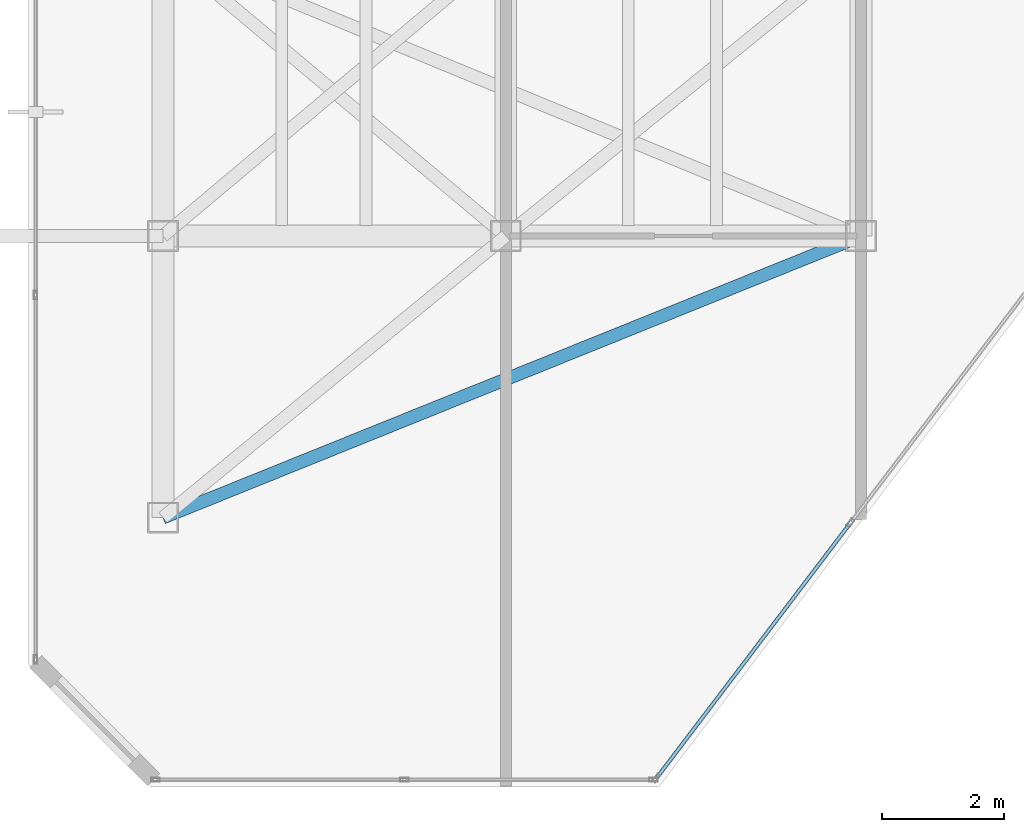
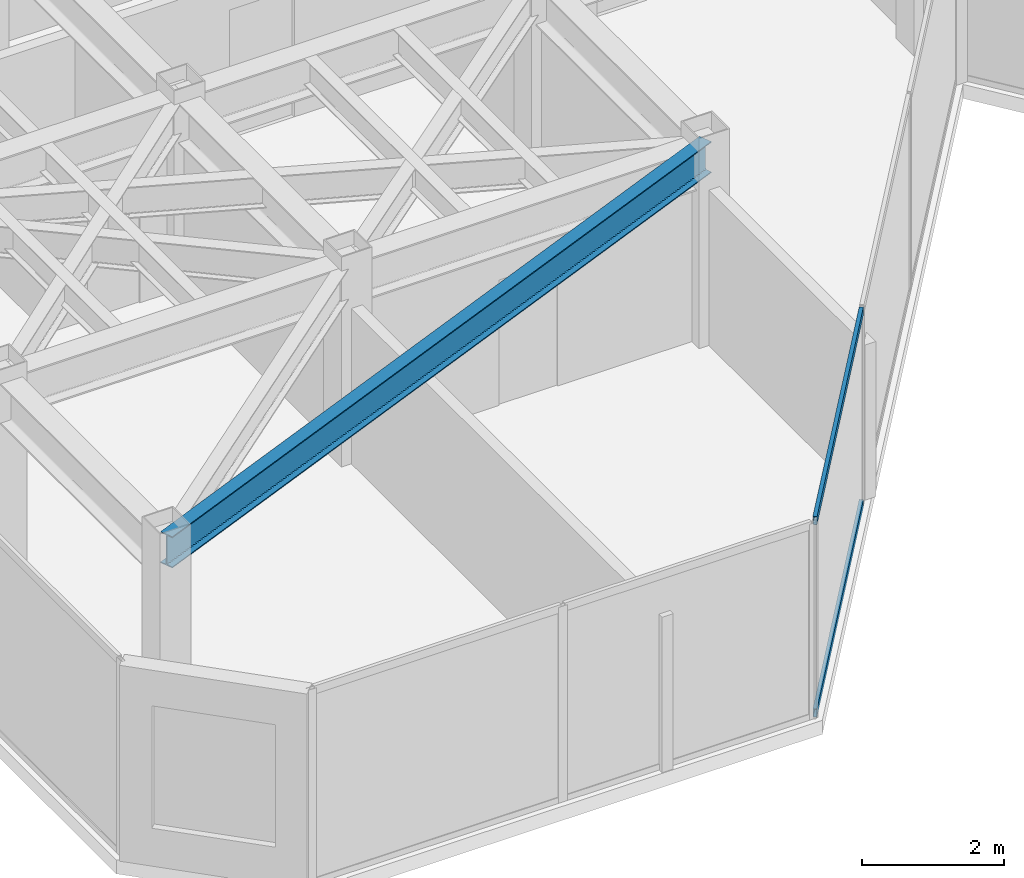
# One storey, part 3 of 20: 2 members, 1 beam, 1 element without a shape of its own.
"""IFC4 building model written with IfcOpenShell, lengths in metres."""

from ifc_helpers import new_model, si_unit, direction, frame, origin, origin_2d, place, context, subcontext, project, spatial, hollow_rectangle, i_section, extrude, material, layer, layer_set, material_profile, profile_set, type_object, element, aggregate, save


model = new_model("IFC4")

# Units and contexts
model_context = context("Model", 3, precision=1e-05, world=origin(), true_north=direction((0.0, 1.0)))
body_context = subcontext(model_context, "Body", "Model", "MODEL_VIEW")
ifc_project = project(units=[si_unit("LENGTHUNIT", "METRE"), si_unit("AREAUNIT", "SQUARE_METRE"), si_unit("VOLUMEUNIT", "CUBIC_METRE"), si_unit("PLANEANGLEUNIT", "RADIAN"), si_unit("MASSUNIT", "GRAM", prefix="KILO")], contexts=[model_context])

# Site, building, storey
site_placement = place(None, origin())
site = spatial("IfcSite", under=ifc_project, at=site_placement, CompositionType="ELEMENT")
building_placement = place(site_placement, origin())
building = spatial("IfcBuilding", under=site, at=building_placement, Name="Kravanh Interchange Tower", CompositionType="ELEMENT")
storey_placement = place(building_placement, frame((0.0, 0.0, 252.60009765625)))
storey = spatial("IfcBuildingStorey", under=building, at=storey_placement, Name="L61", CompositionType="ELEMENT", Elevation=252.60009765625)

# Curtain wall, members
ifc_material_1 = material(Name="Anodised Bronze Aluminium", Category="aluminium")
ifc_layer = layer(ifc_material_1, 0.179931640625)
ifc_layer_set = layer_set([ifc_layer], Name="Unitised Curtain Wall System CW-HTL Luxury Hotel")
curtain_wall_type = type_object("IfcCurtainWallType", Name="Unitised Curtain Wall System CW-HTL Luxury Hotel", PredefinedType="NOTDEFINED", material=ifc_layer_set)
curtain_wall_placement = place(storey_placement, origin())
curtain_wall = element("IfcCurtainWall", 1, at=curtain_wall_placement, inside=storey, type_object=curtain_wall_type, Name="L61 Unitised Curtain Wall CW-L61-05", PredefinedType="NOTDEFINED")
ifc_material_2 = material(Name="Anodised Bronze Aluminium", Category="aluminium")
ifc_material_profile_1 = material_profile(ifc_material_2, hollow_rectangle(XDim=0.06005859375, YDim=0.139892578125, WallThickness=0.00390625, at=origin_2d()), Name="ALU60X140X4")
ifc_profile_set_1 = profile_set([ifc_material_profile_1], Name="Anodised Bronze Aluminium")
member_type = type_object("IfcMemberType", Name="Curtain Wall Transom ALU60X140X4 Bronze", PredefinedType="USERDEFINED", material=ifc_profile_set_1)
member_1_placement = place(storey_placement, frame((38.408935546875, 22.0888671875, 0.02978515625), z_axis=(-0.605089246946, -0.796157649734, 0.0), x_axis=(0.796157649734, -0.605089246946, 0.0)))
member_1 = element("IfcMember", 2, at=member_1_placement, type_object=member_type, Name="CW-HTL transom 3.1", ObjectType="TRANSOM", PredefinedType="USERDEFINED", context=body_context, shape_type="SweptSolid", body=[
    extrude(hollow_rectangle(XDim=0.06005859375, YDim=0.139892578125, WallThickness=0.00390625, at=origin_2d()), origin(), (0.0, 0.0, 1.0), 5.17626953125),
])
member_2_placement = place(storey_placement, frame((38.408935546875, 22.0888671875, 3.329833984375), z_axis=(-0.605089246946, -0.796157649734, 0.0), x_axis=(0.796157649734, -0.605089246946, 0.0)))
member_2 = element("IfcMember", 3, at=member_2_placement, type_object=member_type, Name="CW-HTL transom 3.2", ObjectType="TRANSOM", PredefinedType="USERDEFINED", context=body_context, shape_type="SweptSolid", body=[
    extrude(hollow_rectangle(XDim=0.06005859375, YDim=0.139892578125, WallThickness=0.00390625, at=origin_2d()), origin(), (0.0, 0.0, 1.0), 5.17626953125),
])
aggregate(curtain_wall, [member_1, member_2])

# Beam
ifc_material_3 = material(Name="Structural Steel S355", Category="steel")
ifc_material_profile_2 = material_profile(ifc_material_3, i_section(OverallWidth=0.2099609375, OverallDepth=0.537109375, WebThickness=0.010986328125, FlangeThickness=0.017333984375, FilletRadius=0.02001953125, at=origin_2d()), Name="W21X68")
ifc_profile_set_2 = profile_set([ifc_material_profile_2], Name="Structural Steel S355")
beam_type = type_object("IfcBeamType", Name="Floor Spandrel W21X68 Structural Steel S355", PredefinedType="SPANDREL", material=ifc_profile_set_2)
beam_placement = place(storey_placement, frame((38.60009765625, 26.800048828125, 3.09130859375), z_axis=(-0.927349344428, -0.374196730864, 0.0), x_axis=(0.374196730864, -0.927349344428, 0.0)))
element("IfcBeam", 4, at=beam_placement, inside=storey, type_object=beam_type, Name="L61 Perimeter Spandrel 30", PredefinedType="SPANDREL", context=body_context, shape_type="SweptSolid", body=[
    extrude(i_section(OverallWidth=0.2099609375, OverallDepth=0.537109375, WebThickness=0.010986328125, FlangeThickness=0.017333984375, FilletRadius=0.02001953125, at=origin_2d()), origin(), (0.0, 0.0, 1.0), 12.293212890625),
])

save(model, "model.ifc")
